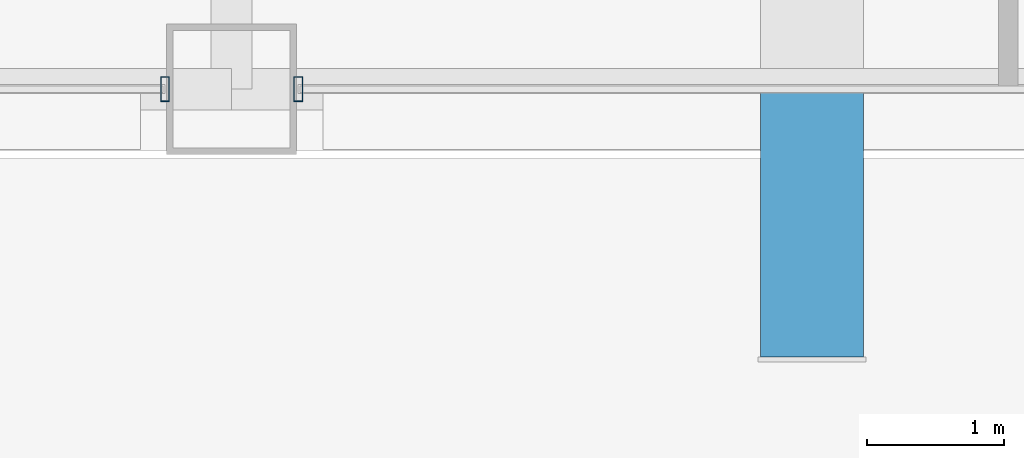
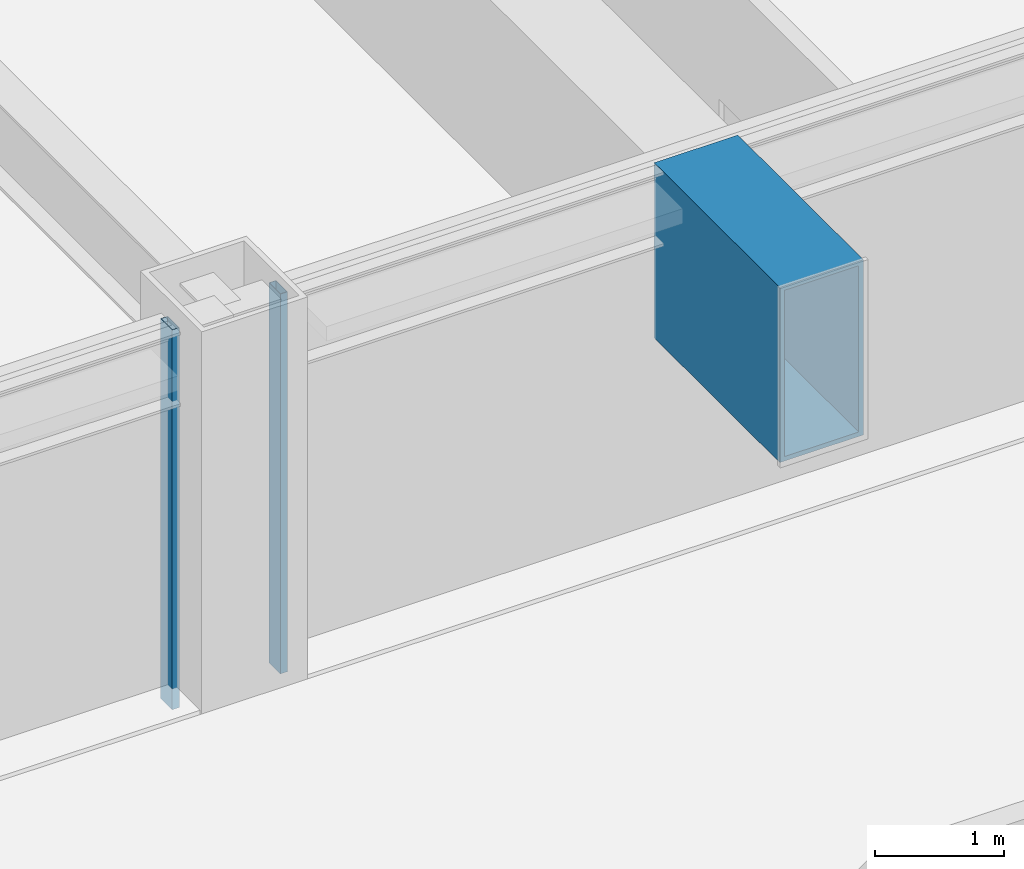
# One storey, part 4 of 33: 2 members, 1 beam, 2 elements without a shape of their own.
"""IFC4 building model written with IfcOpenShell, lengths in metres."""

import ifcopenshell
import ifcopenshell.guid

model = None  # the IFC model being written
_history = None  # IfcOwnerHistory: only IFC2X3 demands one
_inside = {}  # id of a spatial element -> (the spatial element, [elements in it])
_under = {}  # id of a project, library or spatial element -> (it, [spatial elements below it])
_declared = {}  # id of a project -> (the project, [libraries it declares])
_typed = {}  # id of a type object -> (the type object, [elements of that type])
_made_of = {}  # id of a material, layer set ... -> (it, [elements and type objects made of it])


def new_model(schema):
    """Start an empty IFC model of exactly this schema.

    Asked for "IFC4X3", IfcOpenShell would pick the latest addendum, in which some entities
    have other attributes; the version numbers below select the first issue.
    IFC2X3 requires an IfcOwnerHistory on every rooted entity: one is made here for all.
    """
    global model, _history
    if schema == "IFC4X3":
        model = ifcopenshell.file(schema_version=(4, 3, 0, 0))
    else:
        model = ifcopenshell.file(schema=schema)
    _inside.clear()
    _under.clear()
    _declared.clear()
    _typed.clear()
    _made_of.clear()
    _history = None
    if model.schema == "IFC2X3":
        org = make("IfcOrganization", Name="unknown")
        user = make(
            "IfcPersonAndOrganization",
            ThePerson=make("IfcPerson", FamilyName="unknown"),
            TheOrganization=org,
        )
        app = make(
            "IfcApplication",
            ApplicationDeveloper=org,
            Version="unknown",
            ApplicationFullName="unknown",
            ApplicationIdentifier="unknown",
        )
        _history = make(
            "IfcOwnerHistory",
            OwningUser=user,
            OwningApplication=app,
            ChangeAction="ADDED",
            CreationDate=0,
        )
    return model


def make(cls, **values):
    """One entity of the class cls with the attributes given. An attribute that is None is left unset."""
    return model.create_entity(
        cls, **{name: value for name, value in values.items() if value is not None}
    )


def rooted(cls, **values):
    """An entity with a GlobalId (a new one), such as an element, a storey or a relation."""
    return make(cls, GlobalId=ifcopenshell.guid.new(), OwnerHistory=_history, **values)


def si_unit(unit_type, name, prefix=None):
    """IfcSIUnit, for example si_unit("LENGTHUNIT", "METRE", prefix="MILLI")."""
    return make("IfcSIUnit", UnitType=unit_type, Prefix=prefix, Name=name)


def assignment(units):
    """IfcUnitAssignment: the units of a project."""
    return None if units is None else make("IfcUnitAssignment", Units=units)


def point(xyz):
    """IfcCartesianPoint."""
    return None if xyz is None else make("IfcCartesianPoint", Coordinates=xyz)


def direction(xyz):
    """IfcDirection."""
    return None if xyz is None else make("IfcDirection", DirectionRatios=xyz)


def frame(location, z_axis=None, x_axis=None):
    """IfcAxis2Placement3D, a coordinate frame: its origin and axes. An axis left out is left unset."""
    return make(
        "IfcAxis2Placement3D",
        Location=point(location),
        Axis=direction(z_axis),
        RefDirection=direction(x_axis),
    )


def frame_2d(location, x_axis=None):
    """IfcAxis2Placement2D, a coordinate frame in the plane: its origin and x axis."""
    return make(
        "IfcAxis2Placement2D", Location=point(location), RefDirection=direction(x_axis)
    )


def origin():
    """The frame at (0, 0, 0) with its axes left unset."""
    return frame((0.0, 0.0, 0.0))


def origin_2d():
    """The frame at (0, 0) in the plane with its x axis left unset."""
    return frame_2d((0.0, 0.0))


def place(relative_to, where):
    """IfcLocalPlacement: puts the frame where relative to a parent placement (None: the world)."""
    return make(
        "IfcLocalPlacement", PlacementRelTo=relative_to, RelativePlacement=where
    )


def context(
    kind, dimensions, precision=None, world=None, true_north=None, identifier=None
):
    """IfcGeometricRepresentationContext, for example the 3D "Model" context."""
    return make(
        "IfcGeometricRepresentationContext",
        ContextIdentifier=identifier,
        ContextType=kind,
        CoordinateSpaceDimension=dimensions,
        Precision=precision,
        WorldCoordinateSystem=world,
        TrueNorth=true_north,
    )


def subcontext(parent, identifier, kind, view, scale=None):
    """IfcGeometricRepresentationSubContext, for example "Body" below "Model"."""
    return make(
        "IfcGeometricRepresentationSubContext",
        ContextIdentifier=identifier,
        ContextType=kind,
        ParentContext=parent,
        TargetScale=scale,
        TargetView=view,
    )


def project(units=None, contexts=None):
    """IfcProject with its units and contexts."""
    return rooted(
        "IfcProject",
        Name="project",
        RepresentationContexts=contexts,
        UnitsInContext=assignment(units),
    )


def spatial(cls, under=None, at=None, **own):
    """A site, building, storey or space (cls), placed at a placement, below another one or the project."""
    s = rooted(cls, ObjectPlacement=at, **own)
    if under is not None:
        _under.setdefault(under.id(), (under, []))[1].append(s)
    return s


def profile(cls, at=None, kind="AREA", **sizes):
    """A parametric profile (cls). Its sizes go by their IFC names, for example OverallWidth=200.0."""
    return make(cls, ProfileType=kind, Position=at, **sizes)


def hollow_rectangle(**sizes):
    """IfcRectangleHollowProfileDef."""
    return profile("IfcRectangleHollowProfileDef", **sizes)


def extrude(swept, where, along, depth):
    """IfcExtrudedAreaSolid: the profile swept, set in the frame where, extruded along a direction by depth."""
    return make(
        "IfcExtrudedAreaSolid",
        SweptArea=swept,
        Position=where,
        ExtrudedDirection=direction(along),
        Depth=depth,
    )


def shape(context_of_items, identifier, shape_type, items):
    """IfcShapeRepresentation: the items that make up one representation, for example the "Body"."""
    return make(
        "IfcShapeRepresentation",
        ContextOfItems=context_of_items,
        RepresentationIdentifier=identifier,
        RepresentationType=shape_type,
        Items=items,
    )


def material(Name=None, Category=None):
    """IfcMaterial."""
    return make("IfcMaterial", Name=Name, Category=Category)


def layer(
    of_material, thickness, ventilated=None, Name=None, Category=None, Priority=None
):
    """IfcMaterialLayer: one layer of a wall or slab, of a material (None: an air gap)."""
    return make(
        "IfcMaterialLayer",
        Material=of_material,
        LayerThickness=thickness,
        IsVentilated=ventilated,
        Name=Name,
        Category=Category,
        Priority=Priority,
    )


def layer_set(layers, Name=None):
    """IfcMaterialLayerSet."""
    return make("IfcMaterialLayerSet", MaterialLayers=layers, LayerSetName=Name)


def material_profile(
    of_material, cross_section, Name=None, Category=None, Priority=None
):
    """IfcMaterialProfile: a cross section and its material."""
    return make(
        "IfcMaterialProfile",
        Name=Name,
        Material=of_material,
        Profile=cross_section,
        Priority=Priority,
        Category=Category,
    )


def profile_set(profiles, Name=None, composite=None):
    """IfcMaterialProfileSet."""
    return make(
        "IfcMaterialProfileSet",
        Name=Name,
        MaterialProfiles=profiles,
        CompositeProfile=composite,
    )


def made_of(thing, what):
    """Note that an element or type object is made of a material, layer set ...; save() writes the relation."""
    if what is not None:
        _made_of.setdefault(what.id(), (what, []))[1].append(thing)
    return thing


def type_object(cls, material=None, **own):
    """A type object (cls), such as IfcWallType, which elements share."""
    return made_of(rooted(cls, **own), material)


def element(
    cls,
    number,
    at=None,
    inside=None,
    cuts=None,
    type_object=None,
    material=None,
    context=None,
    identifier="Body",
    shape_type=None,
    held_by="IfcProductDefinitionShape",
    body=None,
    shapes=None,
    **own,
):
    """One element of the class cls, such as IfcWall. Its Tag is "e" and its number.

    at: its placement. inside: the storey or other place that contains it. cuts: it is an
    opening in that element (IfcRelVoidsElement). A single representation is given by context,
    identifier, shape_type and body (its items); several are given by shapes. held_by: the class
    of the entity that holds the representations. save() writes the other relations.
    """
    e = rooted(cls, Tag="e%d" % number, ObjectPlacement=at, **own)
    if body is not None:
        shapes = [shape(context, identifier, shape_type, body)]
    if shapes is not None:
        e.Representation = make(held_by, Representations=shapes)
    if inside is not None:
        _inside.setdefault(inside.id(), (inside, []))[1].append(e)
    if cuts is not None:
        rooted(
            "IfcRelVoidsElement", RelatingBuildingElement=cuts, RelatedOpeningElement=e
        )
    if type_object is not None:
        _typed.setdefault(type_object.id(), (type_object, []))[1].append(e)
    return made_of(e, material)


def aggregate(whole, parts):
    """IfcRelAggregates: a whole, such as a stair, and the parts it consists of."""
    return rooted("IfcRelAggregates", RelatingObject=whole, RelatedObjects=parts)


def save(model, path):
    """Write the relations noted so far, then the file.

    IfcRelAggregates (storeys below a building ...), IfcRelContainedInSpatialStructure (elements
    in a storey), IfcRelDefinesByType, IfcRelAssociatesMaterial and IfcRelDeclares: one each for
    every whole, place, type object, material and project.
    """
    for whole, parts in _under.values():
        aggregate(whole, parts)
    for where, things in _inside.values():
        rooted(
            "IfcRelContainedInSpatialStructure",
            RelatedElements=things,
            RelatingStructure=where,
        )
    for kind, things in _typed.values():
        rooted("IfcRelDefinesByType", RelatedObjects=things, RelatingType=kind)
    for what, things in _made_of.values():
        rooted("IfcRelAssociatesMaterial", RelatedObjects=things, RelatingMaterial=what)
    for by, libraries in _declared.values():
        rooted("IfcRelDeclares", RelatingContext=by, RelatedDefinitions=libraries)
    model.write(path)


model = new_model("IFC4")

# Units and contexts
model_context = context("Model", 3, precision=1e-05, world=origin(), true_north=direction((0.0, 1.0)))
body_context = subcontext(model_context, "Body", "Model", "MODEL_VIEW")
ifc_project = project(units=[si_unit("LENGTHUNIT", "METRE"), si_unit("AREAUNIT", "SQUARE_METRE"), si_unit("VOLUMEUNIT", "CUBIC_METRE"), si_unit("PLANEANGLEUNIT", "RADIAN"), si_unit("MASSUNIT", "GRAM", prefix="KILO")], contexts=[model_context])

# Site, building, storey
site_placement = place(None, origin())
site = spatial("IfcSite", under=ifc_project, at=site_placement, CompositionType="ELEMENT")
building_placement = place(site_placement, origin())
building = spatial("IfcBuilding", under=site, at=building_placement, Name="Brelmoor Portico Tower", CompositionType="ELEMENT")
storey_placement = place(building_placement, frame((0.0, 0.0, 24.0)))
storey = spatial("IfcBuildingStorey", under=building, at=storey_placement, Name="L05", CompositionType="ELEMENT", Elevation=24.0)

# Beam
ifc_material_1 = material(Name="Steel Q355B", Category="steel")
ifc_material_profile_1 = material_profile(ifc_material_1, hollow_rectangle(XDim=0.75, YDim=1.659912109375, WallThickness=0.0419921875, at=origin_2d()), Name="BOX 750x1660x42")
ifc_profile_set_1 = profile_set([ifc_material_profile_1], Name="Steel Q355B")
beam_type = type_object("IfcBeamType", Name="BM-PF-CANT", PredefinedType="BEAM", material=ifc_profile_set_1)
beam_placement = place(storey_placement, frame((-3.820068359375, -23.5, 2.570068359375), z_axis=(0.0, 1.0, 0.0), x_axis=(-1.0, 0.0, 0.0)))
element("IfcBeam", 1, at=beam_placement, inside=storey, type_object=beam_type, Name="L05 Picture-Frame Outrigger Transfer Cantilever PFB-02", PredefinedType="BEAM", context=body_context, shape_type="SweptSolid", body=[
    extrude(hollow_rectangle(XDim=0.75, YDim=1.659912109375, WallThickness=0.0419921875, at=origin_2d()), origin(), (0.0, 0.0, 1.0), 1.949951171875),
])

# Curtain wall, member
ifc_material_2 = material(Name="Anodised Aluminium Alloy 6063-T6", Category="aluminium")
ifc_layer = layer(ifc_material_2, 0.179931640625)
ifc_layer_set = layer_set([ifc_layer], Name="Anodised Aluminium Alloy 6063-T6")
curtain_wall_type = type_object("IfcCurtainWallType", Name="CW-TOWER-Z1-XB", PredefinedType="NOTDEFINED", material=ifc_layer_set)
curtain_wall_1_placement = place(storey_placement, origin())
curtain_wall_1 = element("IfcCurtainWall", 2, at=curtain_wall_1_placement, inside=storey, type_object=curtain_wall_type, Name="L05 Curtain Wall CW-L05-01-2", PredefinedType="NOTDEFINED")
ifc_material_profile_2 = material_profile(ifc_material_2, hollow_rectangle(XDim=0.06494140625, YDim=0.179931640625, WallThickness=0.00390625, at=origin_2d()), Name="ALU MULLION 65x180")
ifc_profile_set_2 = profile_set([ifc_material_profile_2], Name="Anodised Aluminium Alloy 6063-T6")
member_type = type_object("IfcMemberType", Name="MB-CW-MULL-180", PredefinedType="MULLION", material=ifc_profile_set_2)
member_1_placement = place(storey_placement, frame((-8.534912109375, -21.550048828125, -0.199951171875), z_axis=(0.0, 0.0, 1.0), x_axis=(1.0, 0.0, 0.0)))
member_1 = element("IfcMember", 3, at=member_1_placement, type_object=member_type, Name="CW-L05-01-2 Mullion 01", PredefinedType="MULLION", context=body_context, shape_type="SweptSolid", body=[
    extrude(hollow_rectangle(XDim=0.06494140625, YDim=0.179931640625, WallThickness=0.00390625, at=origin_2d()), origin(), (0.0, 0.0, 1.0), 3.599853515625),
])
aggregate(curtain_wall_1, [member_1])

curtain_wall_2_placement = place(storey_placement, origin())
curtain_wall_2 = element("IfcCurtainWall", 4, at=curtain_wall_2_placement, inside=storey, type_object=curtain_wall_type, Name="L05 Curtain Wall CW-L05-01-3", PredefinedType="NOTDEFINED")
member_2_placement = place(storey_placement, frame((-7.56494140625, -21.550048828125, -0.199951171875), z_axis=(0.0, 0.0, 1.0), x_axis=(1.0, 0.0, 0.0)))
member_2 = element("IfcMember", 5, at=member_2_placement, type_object=member_type, Name="CW-L05-01-3 Mullion 00", PredefinedType="MULLION", context=body_context, shape_type="SweptSolid", body=[
    extrude(hollow_rectangle(XDim=0.06494140625, YDim=0.179931640625, WallThickness=0.00390625, at=origin_2d()), origin(), (0.0, 0.0, 1.0), 3.599853515625),
])
aggregate(curtain_wall_2, [member_2])

save(model, "model.ifc")
